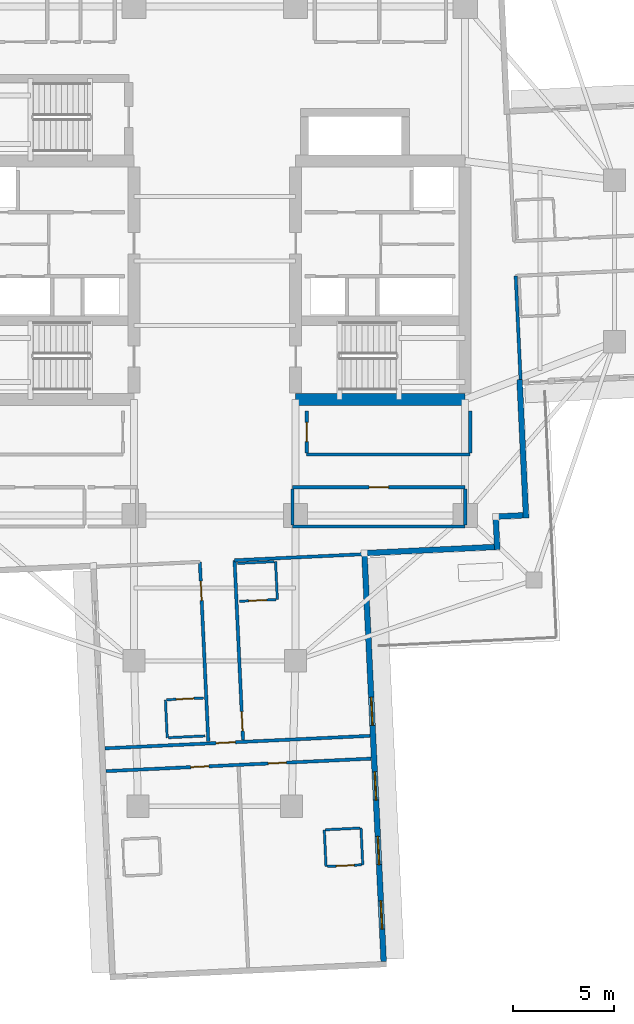
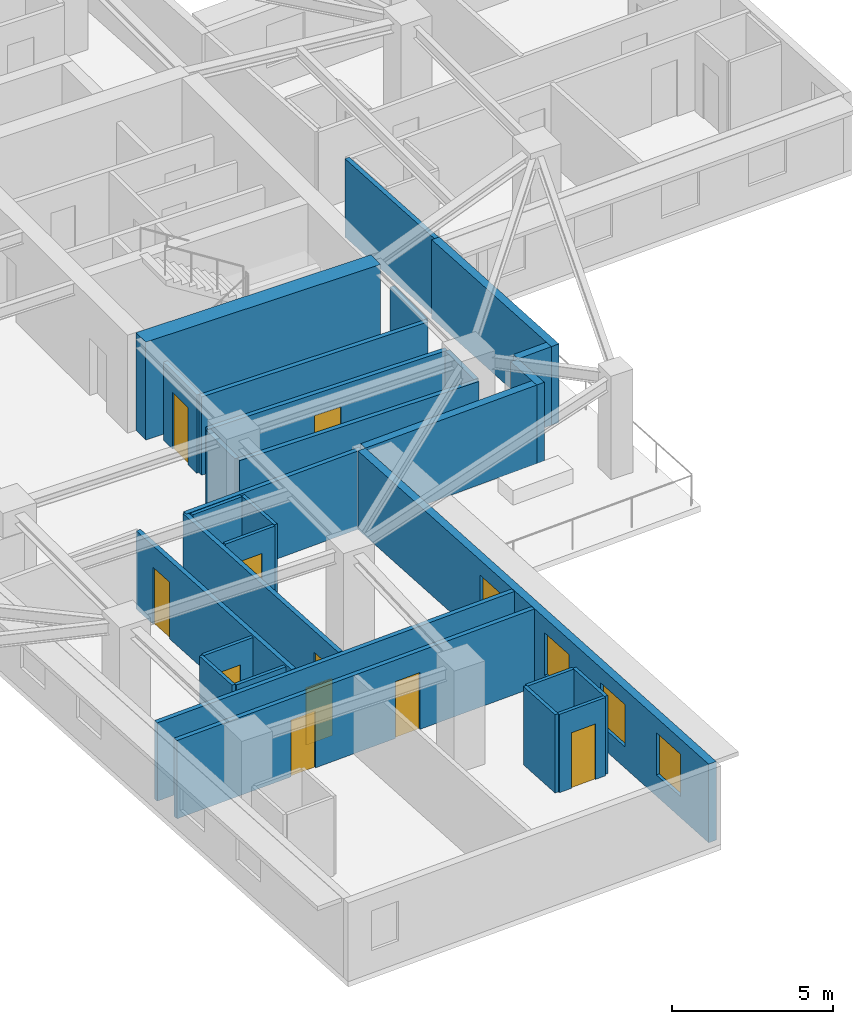
# One storey, part 4 of 14: 29 walls, 10 doors, 4 windows, 14 openings.
"""IFC4 building model written with IfcOpenShell, lengths in metres."""

from ifc_helpers import new_model, si_unit, direction, frame, frame_2d, origin, place, context, subcontext, project, spatial, rectangle, extrude, material, layer, layer_set, type_object, element, fill, save


model = new_model("IFC4")

# Units and contexts
model_context = context("Model", 3, precision=1e-05, world=origin(), true_north=direction((0.0, 1.0)))
body_context = subcontext(model_context, "Body", "Model", "MODEL_VIEW")
ifc_project = project(units=[si_unit("LENGTHUNIT", "METRE"), si_unit("AREAUNIT", "SQUARE_METRE"), si_unit("VOLUMEUNIT", "CUBIC_METRE"), si_unit("PLANEANGLEUNIT", "RADIAN"), si_unit("MASSUNIT", "GRAM", prefix="KILO")], contexts=[model_context])

# Site, building, storey
site_placement = place(None, origin())
site = spatial("IfcSite", under=ifc_project, at=site_placement, CompositionType="ELEMENT")
building_placement = place(site_placement, origin())
building = spatial("IfcBuilding", under=site, at=building_placement, Name="Qingluan Cross Belvedere", CompositionType="ELEMENT")
storey_placement = place(building_placement, frame((0.0, 0.0, 116.39990234375)))
storey = spatial("IfcBuildingStorey", under=building, at=storey_placement, Name="L29", CompositionType="ELEMENT", Elevation=116.39990234375)

# Walls
ifc_material_1 = material(Name="Concrete C60", Category="concrete")
ifc_layer_1 = layer(ifc_material_1, 0.60009765625, Name="CoreShearWall_600")
ifc_layer_set_1 = layer_set([ifc_layer_1], Name="Concrete C60")
wall_type_1 = type_object("IfcWallType", Name="CoreShearWall_600", PredefinedType="SHEAR", material=ifc_layer_set_1)
wall_1_placement = place(storey_placement, frame((4.0, -6.85009765625, 0.0), z_axis=(0.0, 0.0, 1.0), x_axis=(1.0, 0.0, 0.0)))
element("IfcWall", 1, at=wall_1_placement, inside=storey, type_object=wall_type_1, Name="Split core E shear wall L29-S", PredefinedType="SHEAR", context=body_context, shape_type="SweptSolid", body=[
    extrude(rectangle(XDim=8.39990234375, YDim=0.60009765625, at=frame_2d((4.199951171875, 0.0))), origin(), (0.0, 0.0, 1.0), 3.7001953125),
])
ifc_material_2 = material(Name="Gypsum plasterboard on steel stud acoustic partition", Category="steel")
ifc_layer_2 = layer(ifc_material_2, 0.159912109375, Name="CorridorPartition_160")
ifc_layer_set_2 = layer_set([ifc_layer_2], Name="Gypsum plasterboard on steel stud acoustic partition")
wall_type_2 = type_object("IfcWallType", Name="CorridorPartition_160", PredefinedType="PARTITIONING", material=ifc_layer_set_2)
wall_2_placement = place(storey_placement, frame((3.85009765625, -13.14990234375, 0.0), z_axis=(0.0, 0.0, 1.0), x_axis=(1.0, 0.0, 0.0)))
element("IfcWall", 2, at=wall_2_placement, inside=storey, type_object=wall_type_2, Name="Partition L29:q_se:S", PredefinedType="PARTITIONING", context=body_context, shape_type="SweptSolid", body=[
    extrude(rectangle(XDim=8.5498046875, YDim=0.159912109375, at=frame_2d((4.27490234375, 0.0))), origin(), (0.0, 0.0, 1.0), 2.960205078125),
])

# Wall, opening, door
wall_3_placement = place(storey_placement, frame((3.85009765625, -11.199951171875, 0.0), z_axis=(0.0, 0.0, 1.0), x_axis=(1.0, 0.0, 0.0)))
wall_3 = element("IfcWall", 3, at=wall_3_placement, inside=storey, type_object=wall_type_2, Name="Partition L29:q_se:N", PredefinedType="PARTITIONING", context=body_context, shape_type="SweptSolid", body=[
    extrude(rectangle(XDim=8.5498046875, YDim=0.159912109375, at=frame_2d((4.27490234375, 0.0))), origin(), (0.0, 0.0, 1.0), 2.960205078125),
])
opening_1_placement = place(wall_3_placement, frame((3.794921875, 0.0, 0.0)))
opening_1 = element("IfcOpeningElement", 4, at=opening_1_placement, cuts=wall_3, Name="Opening GD-10", PredefinedType="OPENING", context=body_context, shape_type="SweptSolid", body=[
    extrude(rectangle(XDim=0.9599609375, YDim=2.14990234375, at=frame_2d((0.47998046875, 1.074951171875))), frame((0.0, 0.08984375, 0.0), z_axis=(0.0, -1.0, 0.0), x_axis=(1.0, 0.0, 0.0)), (0.0, 0.0, 1.0), 0.179931640625),
])
ifc_material_3 = material(Name="Timber oak fire-rated acoustic guestroom door", Category="wood")
door_type_1 = type_object("IfcDoorType", Name="GuestEntryDoor_FD60", OperationType="NOTDEFINED", PredefinedType="DOOR", material=ifc_material_3)
door_1_placement = place(opening_1_placement, origin())
door_1 = element("IfcDoor", 5, at=door_1_placement, inside=storey, type_object=door_type_1, Name="Afternoon tea pantry L29 door", OperationType="SINGLE_SWING_LEFT", OverallHeight=2.14990234375, OverallWidth=0.9599609375, PredefinedType="DOOR", context=body_context, shape_type="SweptSolid", body=[
    extrude(rectangle(XDim=0.9599609375, YDim=2.14990234375, at=frame_2d((0.47998046875, 1.074951171875))), frame((0.0, 0.02490234375, 0.0), z_axis=(0.0, -1.0, 0.0), x_axis=(1.0, 0.0, 0.0)), (0.0, 0.0, 1.0), 0.050048828125),
])
fill(opening_1, door_1)

# Walls
for number, where, z_axis, x_axis, name in (
    (6, (3.85009765625, -13.06494140625, 0.0), (0.0, 0.0, 1.0), (0.0, 1.0, 0.0), "Partition L29:q_se:W"),
    (7, (12.39990234375, -13.06494140625, 0.0), (0.0, 0.0, 1.0), (0.0, 1.0, 0.0), "Partition L29:q_se:E"),
):
    element("IfcWall", number, at=place(storey_placement, frame(where, z_axis=z_axis, x_axis=x_axis)), inside=storey, type_object=wall_type_2, Name=name, PredefinedType="PARTITIONING", context=body_context, shape_type="SweptSolid", body=[
        extrude(rectangle(XDim=1.780029296875, YDim=0.159912109375, at=frame_2d((0.89013671875, 0.0))), origin(), (0.0, 0.0, 1.0), 2.960205078125),
    ])
wall_4_placement = place(storey_placement, frame((4.550048828125, -9.580078125, 0.0), z_axis=(0.0, 0.0, 1.0), x_axis=(1.0, 0.0, 0.0)))
element("IfcWall", 8, at=wall_4_placement, inside=storey, type_object=wall_type_2, Name="Partition L29:rec_st4:S", PredefinedType="PARTITIONING", context=body_context, shape_type="SweptSolid", body=[
    extrude(rectangle(XDim=8.099853515625, YDim=0.159912109375, at=frame_2d((4.0498046875, 0.0))), origin(), (0.0, 0.0, 1.0), 2.960205078125),
])

# Wall, opening, door
wall_5_placement = place(storey_placement, frame((4.550048828125, -9.4951171875, 0.0), z_axis=(0.0, 0.0, 1.0), x_axis=(0.0, 1.0, 0.0)))
wall_5 = element("IfcWall", 9, at=wall_5_placement, inside=storey, type_object=wall_type_2, Name="Partition L29:rec_st4:W", PredefinedType="PARTITIONING", context=body_context, shape_type="SweptSolid", body=[
    extrude(rectangle(XDim=2.06005859375, YDim=0.159912109375, at=frame_2d((1.030029296875, 0.0))), origin(), (0.0, 0.0, 1.0), 2.960205078125),
])
opening_2_placement = place(wall_5_placement, frame((0.550048828125, 0.0, 0.0)))
opening_2 = element("IfcOpeningElement", 10, at=opening_2_placement, cuts=wall_5, Name="Opening GD-10", PredefinedType="OPENING", context=body_context, shape_type="SweptSolid", body=[
    extrude(rectangle(XDim=0.9599609375, YDim=2.14990234375, at=frame_2d((0.47998046875, 1.074951171875))), frame((0.0, 0.08984375, 0.0), z_axis=(0.0, -1.0, 0.0), x_axis=(1.0, 0.0, 0.0)), (0.0, 0.0, 1.0), 0.179931640625),
])
door_2_placement = place(opening_2_placement, origin())
door_2 = element("IfcDoor", 11, at=door_2_placement, inside=storey, type_object=door_type_1, Name="Southeast club library room L29 door", OperationType="SINGLE_SWING_RIGHT", OverallHeight=2.14990234375, OverallWidth=0.9599609375, PredefinedType="DOOR", context=body_context, shape_type="SweptSolid", body=[
    extrude(rectangle(XDim=0.9599609375, YDim=2.14990234375, at=frame_2d((0.47998046875, 1.074951171875))), frame((0.0, 0.02490234375, 0.0), z_axis=(0.0, -1.0, 0.0), x_axis=(1.0, 0.0, 0.0)), (0.0, 0.0, 1.0), 0.050048828125),
])
fill(opening_2, door_2)

# Walls
wall_6_placement = place(storey_placement, frame((12.64990234375, -9.4951171875, 0.0), z_axis=(0.0, 0.0, 1.0), x_axis=(0.0, 1.0, 0.0)))
element("IfcWall", 12, at=wall_6_placement, inside=storey, type_object=wall_type_2, Name="Partition L29:rec_st4:E", PredefinedType="PARTITIONING", context=body_context, shape_type="SweptSolid", body=[
    extrude(rectangle(XDim=2.06005859375, YDim=0.159912109375, at=frame_2d((1.030029296875, 0.0))), origin(), (0.0, 0.0, 1.0), 2.960205078125),
])
wall_7_placement = place(storey_placement, frame((14.9013671875, -0.739013671875, 0.0), z_axis=(0.0, 0.0, 1.0), x_axis=(0.047097271264, -0.998890307811, 0.0)))
element("IfcWall", 13, at=wall_7_placement, inside=storey, type_object=wall_type_2, Name="Partition L29:E:s1", PredefinedType="PARTITIONING", context=body_context, shape_type="SweptSolid", body=[
    extrude(rectangle(XDim=5.1318359375, YDim=0.159912109375, at=frame_2d((2.56591796875, 0.0))), origin(), (0.0, 0.0, 1.0), 2.960205078125),
])

# Wall, opening, door
wall_8_placement = place(storey_placement, frame((0.979248046875, -14.8203125, 0.0), z_axis=(0.0, 0.0, 1.0), x_axis=(0.047099864025, -0.99889018556, 0.0)))
wall_8 = element("IfcWall", 14, at=wall_8_placement, inside=storey, type_object=wall_type_2, Name="Partition L29:S:c0", PredefinedType="PARTITIONING", context=body_context, shape_type="SweptSolid", body=[
    extrude(rectangle(XDim=8.89990234375, YDim=0.159912109375, at=frame_2d((4.449951171875, 0.0))), origin(), (0.0, 0.0, 1.0), 2.960205078125),
])
opening_3_placement = place(wall_8_placement, frame((7.5, 0.0, 0.0)))
opening_3 = element("IfcOpeningElement", 15, at=opening_3_placement, cuts=wall_8, Name="Opening GD-10", PredefinedType="OPENING", context=body_context, shape_type="SweptSolid", body=[
    extrude(rectangle(XDim=0.9599609375, YDim=2.14990234375, at=frame_2d((0.47998046875, 1.074951171875))), frame((0.0, 0.08984375, 0.0), z_axis=(0.0, -1.0, 0.0), x_axis=(1.0, 0.0, 0.0)), (0.0, 0.0, 1.0), 0.179931640625),
])
door_3_placement = place(opening_3_placement, origin())
door_3 = element("IfcDoor", 16, at=door_3_placement, inside=storey, type_object=door_type_1, Name="Guest entry fire door 2909", OperationType="SINGLE_SWING_RIGHT", OverallHeight=2.14990234375, OverallWidth=0.9599609375, PredefinedType="DOOR", context=body_context, shape_type="SweptSolid", body=[
    extrude(rectangle(XDim=0.9599609375, YDim=2.14990234375, at=frame_2d((0.47998046875, 1.074951171875))), frame((0.0, 0.02490234375, 0.0), z_axis=(0.0, -1.0, 0.0), x_axis=(1.0, 0.0, 0.0)), (0.0, 0.0, 1.0), 0.050048828125),
])
fill(opening_3, door_3)

# Wall
wall_9_placement = place(storey_placement, frame((0.979248046875, -14.8203125, 0.0), z_axis=(0.0, 0.0, 1.0), x_axis=(0.998890922349, 0.047084235666, 0.0)))
element("IfcWall", 17, at=wall_9_placement, inside=storey, type_object=wall_type_2, Name="Partition L29:S:s0", PredefinedType="PARTITIONING", context=body_context, shape_type="SweptSolid", body=[
    extrude(rectangle(XDim=6.43994140625, YDim=0.159912109375, at=frame_2d((3.219970703125, 0.0))), origin(), (0.0, 0.0, 1.0), 2.960205078125),
])

# Wall, opening, door
wall_10_placement = place(storey_placement, frame((-0.739013671875, -14.9013671875, 0.0), z_axis=(0.0, 0.0, 1.0), x_axis=(0.047127234606, -0.998888894602, 0.0)))
wall_10 = element("IfcWall", 18, at=wall_10_placement, inside=storey, type_object=wall_type_2, Name="Partition L29:S:c1", PredefinedType="PARTITIONING", context=body_context, shape_type="SweptSolid", body=[
    extrude(rectangle(XDim=8.900146484375, YDim=0.159912109375, at=frame_2d((4.4501953125, 0.0))), origin(), (0.0, 0.0, 1.0), 2.960205078125),
])
opening_4_placement = place(wall_10_placement, frame((0.952880859375, 0.0, 0.0)))
opening_4 = element("IfcOpeningElement", 19, at=opening_4_placement, cuts=wall_10, Name="Opening GD-10", PredefinedType="OPENING", context=body_context, shape_type="SweptSolid", body=[
    extrude(rectangle(XDim=0.9599609375, YDim=2.14990234375, at=frame_2d((0.47998046875, 1.074951171875))), frame((0.0, 0.08984375, 0.0), z_axis=(0.0, -1.0, 0.0), x_axis=(1.0, 0.0, 0.0)), (0.0, 0.0, 1.0), 0.179931640625),
])
door_4_placement = place(opening_4_placement, origin())
door_4 = element("IfcDoor", 20, at=door_4_placement, inside=storey, type_object=door_type_1, Name="Guest entry fire door 2910", OperationType="SINGLE_SWING_RIGHT", OverallHeight=2.14990234375, OverallWidth=0.9599609375, PredefinedType="DOOR", context=body_context, shape_type="SweptSolid", body=[
    extrude(rectangle(XDim=0.9599609375, YDim=2.14990234375, at=frame_2d((0.47998046875, 1.074951171875))), frame((0.0, 0.02490234375, 0.0), z_axis=(0.0, -1.0, 0.0), x_axis=(1.0, 0.0, 0.0)), (0.0, 0.0, 1.0), 0.050048828125),
])
fill(opening_4, door_4)

wall_11_placement = place(storey_placement, frame((-5.441162109375, -24.133056640625, 0.0), z_axis=(0.0, 0.0, 1.0), x_axis=(0.998889967692, 0.047104484326, 0.0)))
wall_11 = element("IfcWall", 21, at=wall_11_placement, inside=storey, type_object=wall_type_2, Name="Partition L29:Scap:in", PredefinedType="PARTITIONING", context=body_context, shape_type="SweptSolid", body=[
    extrude(rectangle(XDim=13.14404296875, YDim=0.159912109375, at=frame_2d((6.572021484375, 0.0))), origin(), (0.0, 0.0, 1.0), 2.960205078125),
])
opening_5_placement = place(wall_11_placement, frame((5.511962890625, 0.0, 0.0)))
opening_5 = element("IfcOpeningElement", 22, at=opening_5_placement, cuts=wall_11, Name="Opening GD-10", PredefinedType="OPENING", context=body_context, shape_type="SweptSolid", body=[
    extrude(rectangle(XDim=0.9599609375, YDim=2.14990234375, at=frame_2d((0.47998046875, 1.074951171875))), frame((0.0, 0.08984375, 0.0), z_axis=(0.0, -1.0, 0.0), x_axis=(1.0, 0.0, 0.0)), (0.0, 0.0, 1.0), 0.179931640625),
])
door_5_placement = place(opening_5_placement, origin())
door_5 = element("IfcDoor", 23, at=door_5_placement, inside=storey, type_object=door_type_1, Name="Corner gallery fire door L29S", OperationType="SINGLE_SWING_LEFT", OverallHeight=2.14990234375, OverallWidth=0.9599609375, PredefinedType="DOOR", context=body_context, shape_type="SweptSolid", body=[
    extrude(rectangle(XDim=0.9599609375, YDim=2.14990234375, at=frame_2d((0.47998046875, 1.074951171875))), frame((0.0, 0.02490234375, 0.0), z_axis=(0.0, -1.0, 0.0), x_axis=(1.0, 0.0, 0.0)), (0.0, 0.0, 1.0), 0.050048828125),
])
fill(opening_5, door_5)

# Wall, openings, doors
wall_12_placement = place(storey_placement, frame((-5.387939453125, -25.26171875, 0.0), z_axis=(0.0, 0.0, 1.0), x_axis=(0.998889967692, 0.047104484326, 0.0)))
wall_12 = element("IfcWall", 24, at=wall_12_placement, inside=storey, type_object=wall_type_2, Name="Partition L29:Scap:vw", PredefinedType="PARTITIONING", context=body_context, shape_type="SweptSolid", body=[
    extrude(rectangle(XDim=13.14404296875, YDim=0.159912109375, at=frame_2d((6.572021484375, 0.0))), origin(), (0.0, 0.0, 1.0), 2.960205078125),
])
opening_6_placement = place(wall_12_placement, frame((4.201904296875, 0.0, 0.0)))
opening_6 = element("IfcOpeningElement", 25, at=opening_6_placement, cuts=wall_12, Name="Opening GD-09", PredefinedType="OPENING", context=body_context, shape_type="SweptSolid", body=[
    extrude(rectangle(XDim=0.89990234375, YDim=2.14990234375, at=frame_2d((0.449951171875, 1.074951171875))), frame((0.0, 0.08984375, 0.0), z_axis=(0.0, -1.0, 0.0), x_axis=(1.0, 0.0, 0.0)), (0.0, 0.0, 1.0), 0.179931640625),
])
opening_7_placement = place(wall_12_placement, frame((8.0419921875, 0.0, 0.0)))
opening_7 = element("IfcOpeningElement", 26, at=opening_7_placement, cuts=wall_12, Name="Opening GD-09", PredefinedType="OPENING", context=body_context, shape_type="SweptSolid", body=[
    extrude(rectangle(XDim=0.89990234375, YDim=2.14990234375, at=frame_2d((0.449951171875, 1.074951171875))), frame((0.0, 0.08984375, 0.0), z_axis=(0.0, -1.0, 0.0), x_axis=(1.0, 0.0, 0.0)), (0.0, 0.0, 1.0), 0.179931640625),
])
ifc_material_4 = material(Name="Timber oak fire-rated corner room door", Category="wood")
door_type_2 = type_object("IfcDoorType", Name="CornerRoomDoor_FD60", OperationType="NOTDEFINED", PredefinedType="DOOR", material=ifc_material_4)
door_6_placement = place(opening_6_placement, origin())
door_6 = element("IfcDoor", 27, at=door_6_placement, inside=storey, type_object=door_type_2, Name="Deluxe corner room door L29S1", OperationType="SINGLE_SWING_RIGHT", OverallHeight=2.14990234375, OverallWidth=0.89990234375, PredefinedType="DOOR", context=body_context, shape_type="SweptSolid", body=[
    extrude(rectangle(XDim=0.89990234375, YDim=2.14990234375, at=frame_2d((0.449951171875, 1.074951171875))), frame((0.0, 0.02490234375, 0.0), z_axis=(0.0, -1.0, 0.0), x_axis=(1.0, 0.0, 0.0)), (0.0, 0.0, 1.0), 0.050048828125),
])
fill(opening_6, door_6)
door_7_placement = place(opening_7_placement, origin())
door_7 = element("IfcDoor", 28, at=door_7_placement, inside=storey, type_object=door_type_2, Name="Deluxe corner room door L29S2", OperationType="SINGLE_SWING_LEFT", OverallHeight=2.14990234375, OverallWidth=0.89990234375, PredefinedType="DOOR", context=body_context, shape_type="SweptSolid", body=[
    extrude(rectangle(XDim=0.89990234375, YDim=2.14990234375, at=frame_2d((0.449951171875, 1.074951171875))), frame((0.0, 0.02490234375, 0.0), z_axis=(0.0, -1.0, 0.0), x_axis=(1.0, 0.0, 0.0)), (0.0, 0.0, 1.0), 0.050048828125),
])
fill(opening_7, door_7)

# Wall, opening, door
ifc_material_5 = material(Name="Moisture-resistant gypsum board lining")
ifc_layer_3 = layer(ifc_material_5, 0.1201171875, Name="EnsuiteWetPartition_120")
ifc_layer_set_3 = layer_set([ifc_layer_3], Name="Moisture-resistant gypsum board lining")
wall_type_3 = type_object("IfcWallType", Name="EnsuiteWetPartition_120", PredefinedType="PARTITIONING", material=ifc_layer_set_3)
wall_13_placement = place(storey_placement, frame((1.215087890625, -16.8515625, 0.0), z_axis=(0.0, 0.0, 1.0), x_axis=(0.998884766924, 0.047214641863, 0.0)))
wall_13 = element("IfcWall", 29, at=wall_13_placement, inside=storey, type_object=wall_type_3, Name="Partition L29:S:bs0_0", PredefinedType="PARTITIONING", context=body_context, shape_type="SweptSolid", body=[
    extrude(rectangle(XDim=1.820068359375, YDim=0.1201171875, at=frame_2d((0.91015625, 0.0))), origin(), (0.0, 0.0, 1.0), 2.960205078125),
])
opening_8_placement = place(wall_13_placement, frame((0.469970703125, 0.0, 0.0)))
opening_8 = element("IfcOpeningElement", 30, at=opening_8_placement, cuts=wall_13, Name="Opening BD-09", PredefinedType="OPENING", context=body_context, shape_type="SweptSolid", body=[
    extrude(rectangle(XDim=0.8798828125, YDim=2.10009765625, at=frame_2d((0.43994140625, 1.050048828125))), frame((0.0, 0.070068359375, 0.0), z_axis=(0.0, -1.0, 0.0), x_axis=(1.0, 0.0, 0.0)), (0.0, 0.0, 1.0), 0.14013671875),
])
ifc_material_6 = material(Name="Moisture-sealed timber en-suite door", Category="wood")
door_type_3 = type_object("IfcDoorType", Name="BathroomDoor_880", OperationType="NOTDEFINED", PredefinedType="DOOR", material=ifc_material_6)
door_8_placement = place(opening_8_placement, origin())
door_8 = element("IfcDoor", 31, at=door_8_placement, inside=storey, type_object=door_type_3, Name="Bathroom door 2909", OperationType="SINGLE_SWING_LEFT", OverallHeight=2.10009765625, OverallWidth=0.8798828125, PredefinedType="DOOR", context=body_context, shape_type="SweptSolid", body=[
    extrude(rectangle(XDim=0.8798828125, YDim=2.10009765625, at=frame_2d((0.43994140625, 1.050048828125))), frame((0.0, 0.02490234375, 0.0), z_axis=(0.0, -1.0, 0.0), x_axis=(1.0, 0.0, 0.0)), (0.0, 0.0, 1.0), 0.050048828125),
])
fill(opening_8, door_8)

# Walls
wall_14_placement = place(storey_placement, frame((1.126708984375, -14.9736328125, 0.0), z_axis=(0.0, 0.0, 1.0), x_axis=(0.998884467853, 0.047220968666, 0.0)))
element("IfcWall", 32, at=wall_14_placement, inside=storey, type_object=wall_type_3, Name="Partition L29:S:bw0_0", PredefinedType="PARTITIONING", context=body_context, shape_type="SweptSolid", body=[
    extrude(rectangle(XDim=1.81982421875, YDim=0.1201171875, at=frame_2d((0.909912109375, 0.0))), origin(), (0.0, 0.0, 1.0), 2.960205078125),
])
wall_15_placement = place(storey_placement, frame((3.009521484375, -14.884765625, 0.0), z_axis=(0.0, 0.0, 1.0), x_axis=(0.047139425368, -0.998888319371, 0.0)))
element("IfcWall", 33, at=wall_15_placement, inside=storey, type_object=wall_type_3, Name="Partition L29:S:bn0_0", PredefinedType="PARTITIONING", context=body_context, shape_type="SweptSolid", body=[
    extrude(rectangle(XDim=1.880126953125, YDim=0.1201171875, at=frame_2d((0.93994140625, 0.0))), origin(), (0.0, 0.0, 1.0), 2.960205078125),
])

# Wall, opening, door
wall_16_placement = place(storey_placement, frame((-2.379150390625, -21.726318359375, 0.0), z_axis=(0.0, 0.0, 1.0), x_axis=(0.998884467853, 0.047220968666, 0.0)))
wall_16 = element("IfcWall", 34, at=wall_16_placement, inside=storey, type_object=wall_type_3, Name="Partition L29:S:bs1_0", PredefinedType="PARTITIONING", context=body_context, shape_type="SweptSolid", body=[
    extrude(rectangle(XDim=1.81982421875, YDim=0.1201171875, at=frame_2d((0.909912109375, 0.0))), origin(), (0.0, 0.0, 1.0), 2.960205078125),
])
opening_9_placement = place(wall_16_placement, frame((0.469970703125, 0.0, 0.0)))
opening_9 = element("IfcOpeningElement", 35, at=opening_9_placement, cuts=wall_16, Name="Opening BD-09", PredefinedType="OPENING", context=body_context, shape_type="SweptSolid", body=[
    extrude(rectangle(XDim=0.8798828125, YDim=2.10009765625, at=frame_2d((0.43994140625, 1.050048828125))), frame((0.0, 0.070068359375, 0.0), z_axis=(0.0, -1.0, 0.0), x_axis=(1.0, 0.0, 0.0)), (0.0, 0.0, 1.0), 0.14013671875),
])
door_9_placement = place(opening_9_placement, origin())
door_9 = element("IfcDoor", 36, at=door_9_placement, inside=storey, type_object=door_type_3, Name="Bathroom door 2910", OperationType="SINGLE_SWING_LEFT", OverallHeight=2.10009765625, OverallWidth=0.8798828125, PredefinedType="DOOR", context=body_context, shape_type="SweptSolid", body=[
    extrude(rectangle(XDim=0.8798828125, YDim=2.10009765625, at=frame_2d((0.43994140625, 1.050048828125))), frame((0.0, 0.02490234375, 0.0), z_axis=(0.0, -1.0, 0.0), x_axis=(1.0, 0.0, 0.0)), (0.0, 0.0, 1.0), 0.050048828125),
])
fill(opening_9, door_9)

# Walls
wall_17_placement = place(storey_placement, frame((-2.29052734375, -23.60400390625, 0.0), z_axis=(0.0, 0.0, 1.0), x_axis=(0.998890786574, 0.047087116047, 0.0)))
element("IfcWall", 37, at=wall_17_placement, inside=storey, type_object=wall_type_3, Name="Partition L29:S:bw1_0", PredefinedType="PARTITIONING", context=body_context, shape_type="SweptSolid", body=[
    extrude(rectangle(XDim=1.81982421875, YDim=0.1201171875, at=frame_2d((0.909912109375, 0.0))), origin(), (0.0, 0.0, 1.0), 2.960205078125),
])
wall_18_placement = place(storey_placement, frame((-2.444091796875, -21.729248046875, 0.0), z_axis=(0.0, 0.0, 1.0), x_axis=(0.04700985207, -0.998894425757, 0.0)))
element("IfcWall", 38, at=wall_18_placement, inside=storey, type_object=wall_type_3, Name="Partition L29:S:bc1_0", PredefinedType="PARTITIONING", context=body_context, shape_type="SweptSolid", body=[
    extrude(rectangle(XDim=1.880126953125, YDim=0.1201171875, at=frame_2d((0.93994140625, 0.0))), origin(), (0.0, 0.0, 1.0), 2.960205078125),
])
for number, where, z_axis, x_axis, name in (
    (39, (5.4228515625, -28.165771484375, 0.0), (0.0, 0.0, 1.0), (0.047080807099, -0.998891083954, 0.0), "Partition L29:Scap:b2s"),
    (40, (7.24072265625, -28.080078125, 0.0), (0.0, 0.0, 1.0), (0.047080807099, -0.998891083954, 0.0), "Partition L29:Scap:b2b"),
):
    element("IfcWall", number, at=place(storey_placement, frame(where, z_axis=z_axis, x_axis=x_axis)), inside=storey, type_object=wall_type_3, Name=name, PredefinedType="PARTITIONING", context=body_context, shape_type="SweptSolid", body=[
        extrude(rectangle(XDim=1.820068359375, YDim=0.1201171875, at=frame_2d((0.91015625, 0.0))), origin(), (0.0, 0.0, 1.0), 2.960205078125),
    ])
wall_19_placement = place(storey_placement, frame((5.482666015625, -28.1630859375, 0.0), z_axis=(0.0, 0.0, 1.0), x_axis=(0.998890122477, 0.047101201865, 0.0)))
element("IfcWall", 41, at=wall_19_placement, inside=storey, type_object=wall_type_3, Name="Partition L29:Scap:b2a", PredefinedType="PARTITIONING", context=body_context, shape_type="SweptSolid", body=[
    extrude(rectangle(XDim=1.7001953125, YDim=0.1201171875, at=frame_2d((0.85009765625, 0.0))), origin(), (0.0, 0.0, 1.0), 2.960205078125),
])

# Wall, opening, door
wall_20_placement = place(storey_placement, frame((5.568603515625, -29.98095703125, 0.0), z_axis=(0.0, 0.0, 1.0), x_axis=(0.998889803826, 0.047107959116, 0.0)))
wall_20 = element("IfcWall", 42, at=wall_20_placement, inside=storey, type_object=wall_type_3, Name="Partition L29:Scap:b2n", PredefinedType="PARTITIONING", context=body_context, shape_type="SweptSolid", body=[
    extrude(rectangle(XDim=1.699951171875, YDim=0.1201171875, at=frame_2d((0.85009765625, 0.0))), origin(), (0.0, 0.0, 1.0), 2.960205078125),
])
opening_10_placement = place(wall_20_placement, frame((0.449951171875, 0.0, 0.0)))
opening_10 = element("IfcOpeningElement", 43, at=opening_10_placement, cuts=wall_20, Name="Opening BD-09", PredefinedType="OPENING", context=body_context, shape_type="SweptSolid", body=[
    extrude(rectangle(XDim=0.8798828125, YDim=2.10009765625, at=frame_2d((0.43994140625, 1.050048828125))), frame((0.0, 0.070068359375, 0.0), z_axis=(0.0, -1.0, 0.0), x_axis=(1.0, 0.0, 0.0)), (0.0, 0.0, 1.0), 0.14013671875),
])
door_10_placement = place(opening_10_placement, origin())
door_10 = element("IfcDoor", 44, at=door_10_placement, inside=storey, type_object=door_type_3, Name="En-suite bathroom door L29S2", OperationType="SINGLE_SWING_RIGHT", OverallHeight=2.10009765625, OverallWidth=0.8798828125, PredefinedType="DOOR", context=body_context, shape_type="SweptSolid", body=[
    extrude(rectangle(XDim=0.8798828125, YDim=2.10009765625, at=frame_2d((0.43994140625, 1.050048828125))), frame((0.0, 0.02490234375, 0.0), z_axis=(0.0, -1.0, 0.0), x_axis=(1.0, 0.0, 0.0)), (0.0, 0.0, 1.0), 0.050048828125),
])
fill(opening_10, door_10)

# Wall, openings, windows
ifc_material_7 = material(Name="Precast concrete C45", Category="concrete")
ifc_layer_4 = layer(ifc_material_7, 0.280029296875, Name="PrecastFacadeWall_280")
ifc_layer_set_4 = layer_set([ifc_layer_4], Name="Precast concrete C45")
wall_type_4 = type_object("IfcWallType", Name="PrecastFacadeWall_280", PredefinedType="STANDARD", material=ifc_layer_set_4)
wall_21_placement = place(storey_placement, frame((8.363037109375, -34.6845703125, 0.0), z_axis=(0.0, 0.0, 1.0), x_axis=(-0.047103473814, 0.998890015344, 0.0)))
wall_21 = element("IfcWall", 45, at=wall_21_placement, inside=storey, type_object=wall_type_4, Name="Facade wall L29-SB", PredefinedType="STANDARD", context=body_context, shape_type="SweptSolid", body=[
    extrude(rectangle(XDim=20.099853515625, YDim=0.280029296875, at=frame_2d((10.0498046875, 0.0))), origin(), (0.0, 0.0, 1.0), 2.97021484375),
])
opening_11_placement = place(wall_21_placement, frame((1.60009765625, 0.0, 0.800048828125)))
opening_11 = element("IfcOpeningElement", 46, at=opening_11_placement, cuts=wall_21, Name="Opening W-01", PredefinedType="OPENING", context=body_context, shape_type="SweptSolid", body=[
    extrude(rectangle(XDim=1.39990234375, YDim=1.60009765625, at=frame_2d((0.699951171875, 0.800048828125))), frame((0.0, 0.14990234375, 0.0), z_axis=(0.0, -1.0, 0.0), x_axis=(1.0, 0.0, 0.0)), (0.0, 0.0, 1.0), 0.300048828125),
])
opening_12_placement = place(wall_21_placement, frame((4.800048828125, 0.0, 0.800048828125)))
opening_12 = element("IfcOpeningElement", 47, at=opening_12_placement, cuts=wall_21, Name="Opening W-01", PredefinedType="OPENING", context=body_context, shape_type="SweptSolid", body=[
    extrude(rectangle(XDim=1.39990234375, YDim=1.60009765625, at=frame_2d((0.699951171875, 0.800048828125))), frame((0.0, 0.14990234375, 0.0), z_axis=(0.0, -1.0, 0.0), x_axis=(1.0, 0.0, 0.0)), (0.0, 0.0, 1.0), 0.300048828125),
])
opening_13_placement = place(wall_21_placement, frame((8.0, 0.0, 0.800048828125)))
opening_13 = element("IfcOpeningElement", 48, at=opening_13_placement, cuts=wall_21, Name="Opening W-01", PredefinedType="OPENING", context=body_context, shape_type="SweptSolid", body=[
    extrude(rectangle(XDim=1.39990234375, YDim=1.60009765625, at=frame_2d((0.699951171875, 0.800048828125))), frame((0.0, 0.14990234375, 0.0), z_axis=(0.0, -1.0, 0.0), x_axis=(1.0, 0.0, 0.0)), (0.0, 0.0, 1.0), 0.300048828125),
])
opening_14_placement = place(wall_21_placement, frame((11.699951171875, 0.0, 0.800048828125)))
opening_14 = element("IfcOpeningElement", 49, at=opening_14_placement, cuts=wall_21, Name="Opening W-01", PredefinedType="OPENING", context=body_context, shape_type="SweptSolid", body=[
    extrude(rectangle(XDim=1.39990234375, YDim=1.60009765625, at=frame_2d((0.699951171875, 0.800048828125))), frame((0.0, 0.14990234375, 0.0), z_axis=(0.0, -1.0, 0.0), x_axis=(1.0, 0.0, 0.0)), (0.0, 0.0, 1.0), 0.300048828125),
])
ifc_material_8 = material(Name="Thermally broken triple Low-E glass in aluminium frame", Category="aluminium")
window_type = type_object("IfcWindowType", Name="TriRibbonWin_1400x1600", PartitioningType="SINGLE_PANEL", PredefinedType="WINDOW", material=ifc_material_8)
window_1_placement = place(opening_11_placement, origin())
window_1 = element("IfcWindow", 50, at=window_1_placement, inside=storey, type_object=window_type, Name="Ribbon window L29-SB-1", OverallHeight=1.60009765625, OverallWidth=1.39990234375, PartitioningType="SINGLE_PANEL", PredefinedType="WINDOW", context=body_context, shape_type="SweptSolid", body=[
    extrude(rectangle(XDim=1.39990234375, YDim=1.60009765625, at=frame_2d((0.699951171875, 0.800048828125))), frame((0.0, 0.030029296875, 0.0), z_axis=(0.0, -1.0, 0.0), x_axis=(1.0, 0.0, 0.0)), (0.0, 0.0, 1.0), 0.06005859375),
])
fill(opening_11, window_1)
window_2_placement = place(opening_12_placement, origin())
window_2 = element("IfcWindow", 51, at=window_2_placement, inside=storey, type_object=window_type, Name="Ribbon window L29-SB-2", OverallHeight=1.60009765625, OverallWidth=1.39990234375, PartitioningType="SINGLE_PANEL", PredefinedType="WINDOW", context=body_context, shape_type="SweptSolid", body=[
    extrude(rectangle(XDim=1.39990234375, YDim=1.60009765625, at=frame_2d((0.699951171875, 0.800048828125))), frame((0.0, 0.030029296875, 0.0), z_axis=(0.0, -1.0, 0.0), x_axis=(1.0, 0.0, 0.0)), (0.0, 0.0, 1.0), 0.06005859375),
])
fill(opening_12, window_2)
window_3_placement = place(opening_13_placement, origin())
window_3 = element("IfcWindow", 52, at=window_3_placement, inside=storey, type_object=window_type, Name="Ribbon window L29-SB-3", OverallHeight=1.60009765625, OverallWidth=1.39990234375, PartitioningType="SINGLE_PANEL", PredefinedType="WINDOW", context=body_context, shape_type="SweptSolid", body=[
    extrude(rectangle(XDim=1.39990234375, YDim=1.60009765625, at=frame_2d((0.699951171875, 0.800048828125))), frame((0.0, 0.030029296875, 0.0), z_axis=(0.0, -1.0, 0.0), x_axis=(1.0, 0.0, 0.0)), (0.0, 0.0, 1.0), 0.06005859375),
])
fill(opening_13, window_3)
window_4_placement = place(opening_14_placement, origin())
window_4 = element("IfcWindow", 53, at=window_4_placement, inside=storey, type_object=window_type, Name="Ribbon window L29-SB-4", OverallHeight=1.60009765625, OverallWidth=1.39990234375, PartitioningType="SINGLE_PANEL", PredefinedType="WINDOW", context=body_context, shape_type="SweptSolid", body=[
    extrude(rectangle(XDim=1.39990234375, YDim=1.60009765625, at=frame_2d((0.699951171875, 0.800048828125))), frame((0.0, 0.030029296875, 0.0), z_axis=(0.0, -1.0, 0.0), x_axis=(1.0, 0.0, 0.0)), (0.0, 0.0, 1.0), 0.06005859375),
])
fill(opening_14, window_4)

# Walls
wall_22_placement = place(storey_placement, frame((15.093505859375, -5.87548828125, 0.0), z_axis=(0.0, 0.0, 1.0), x_axis=(0.04712043756, -0.998889215261, 0.0)))
element("IfcWall", 54, at=wall_22_placement, inside=storey, type_object=wall_type_4, Name="Corner wall L29-SE1", PredefinedType="STANDARD", context=body_context, shape_type="SweptSolid", body=[
    extrude(rectangle(XDim=6.85986328125, YDim=0.280029296875, at=frame_2d((3.429931640625, 0.0))), origin(), (0.0, 0.0, 1.0), 2.97021484375),
])
wall_23_placement = place(storey_placement, frame((15.270263671875, -12.5947265625, 0.0), z_axis=(0.0, 0.0, 1.0), x_axis=(-0.998893795343, -0.047023245574, 0.0)))
element("IfcWall", 55, at=wall_23_placement, inside=storey, type_object=wall_type_4, Name="Corner wall L29-SE2", PredefinedType="STANDARD", context=body_context, shape_type="SweptSolid", body=[
    extrude(rectangle(XDim=1.22021484375, YDim=0.280029296875, at=frame_2d((0.610107421875, 0.0))), origin(), (0.0, 0.0, 1.0), 2.97021484375),
])
wall_24_placement = place(storey_placement, frame((13.918212890625, -12.798583984375, 0.0), z_axis=(0.0, 0.0, 1.0), x_axis=(0.047201688113, -0.99888537913, 0.0)))
element("IfcWall", 56, at=wall_24_placement, inside=storey, type_object=wall_type_4, Name="Corner wall L29-SE3", PredefinedType="STANDARD", context=body_context, shape_type="SweptSolid", body=[
    extrude(rectangle(XDim=1.5, YDim=0.280029296875, at=frame_2d((0.75, 0.0))), origin(), (0.0, 0.0, 1.0), 2.97021484375),
])
wall_25_placement = place(storey_placement, frame((13.842529296875, -14.16357421875, 0.0), z_axis=(0.0, 0.0, 1.0), x_axis=(-0.998889082162, -0.047123258997, 0.0)))
element("IfcWall", 57, at=wall_25_placement, inside=storey, type_object=wall_type_4, Name="Corner wall L29-SE4", PredefinedType="STANDARD", context=body_context, shape_type="SweptSolid", body=[
    extrude(rectangle(XDim=6.300048828125, YDim=0.280029296875, at=frame_2d((3.14990234375, 0.0))), origin(), (0.0, 0.0, 1.0), 2.97021484375),
])

save(model, "model.ifc")
